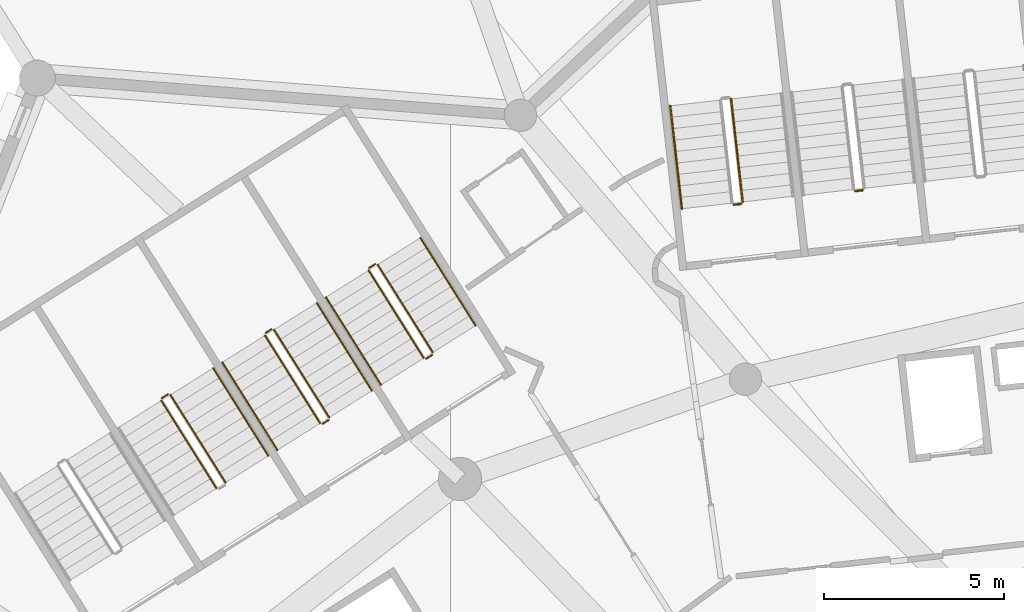
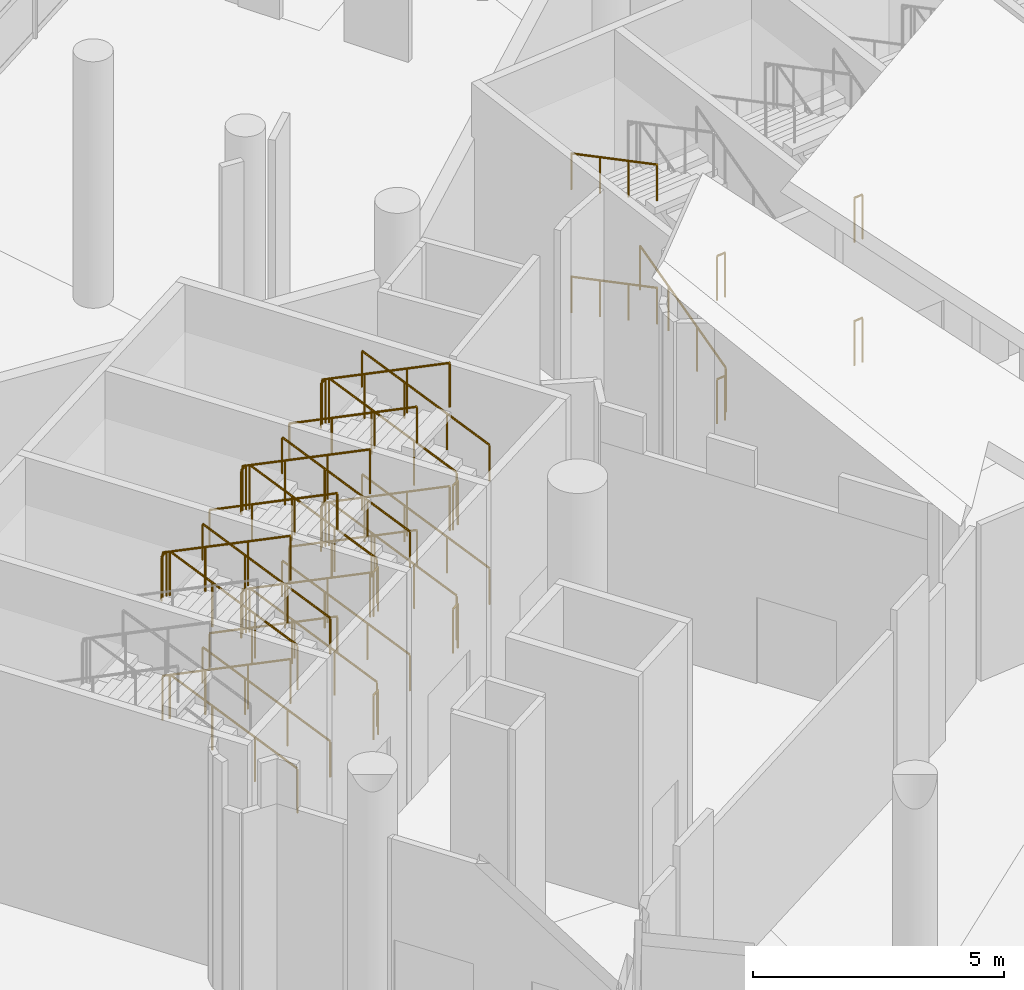
# One storey, part 235 of 249: 38 railings.
"""IFC4 building model written with IfcOpenShell, lengths in metres."""

from ifc_helpers import new_model, si_unit, direction, frame, origin, origin_2d, place, context, subcontext, project, spatial, circle, extrude, material, type_object, element, save


model = new_model("IFC4")

# Units and contexts
model_context = context("Model", 3, precision=1e-05, world=origin(), true_north=direction((0.0, 1.0)))
body_context = subcontext(model_context, "Body", "Model", "MODEL_VIEW")
ifc_project = project(units=[si_unit("LENGTHUNIT", "METRE"), si_unit("AREAUNIT", "SQUARE_METRE"), si_unit("VOLUMEUNIT", "CUBIC_METRE"), si_unit("PLANEANGLEUNIT", "RADIAN"), si_unit("MASSUNIT", "GRAM", prefix="KILO")], contexts=[model_context])

# Site, building, storey
site_placement = place(None, origin())
site = spatial("IfcSite", under=ifc_project, at=site_placement, CompositionType="ELEMENT")
building_placement = place(site_placement, origin())
building = spatial("IfcBuilding", under=site, at=building_placement, Name="Meseta Stadium", CompositionType="ELEMENT")
storey_placement = place(building_placement, frame((0.0, 0.0, 12.0)))
storey = spatial("IfcBuildingStorey", under=building, at=storey_placement, Name="L02", CompositionType="ELEMENT", Elevation=12.0)

# Railings
ifc_material_1 = material(Name="Steel S355", Category="steel")
railing_type_1 = type_object("IfcRailingType", Name="Stair guard 1100", PredefinedType="GUARDRAIL", material=ifc_material_1)
for number, where, name in (
    (1, (-52.54443359375, 93.792724609375, 3.0), "ST47 L02 guard 4"),
    (2, (-52.54443359375, 93.792724609375, 0.0), "ST47 L02 guard 8"),
):
    element("IfcRailing", number, at=place(storey_placement, frame(where)), inside=storey, type_object=railing_type_1, Name=name, PredefinedType="GUARDRAIL", context=body_context, shape_type="SweptSolid", body=[
        extrude(circle(Radius=0.02392578125, at=origin_2d()), frame((0.0, 0.0, 1.076171875), z_axis=(-0.993673547442, -0.112307083986, 0.0), x_axis=(0.112307083986, -0.993673547442, 0.0)), (0.0, 0.0, 1.0), 0.199951171875),
        extrude(circle(Radius=0.02099609375, at=origin_2d()), origin(), (0.0, 0.0, 1.0), 1.052001953125),
        extrude(circle(Radius=0.02099609375, at=origin_2d()), frame((-0.19873046875, -0.0224609375, 0.0)), (0.0, 0.0, 1.0), 1.052001953125),
    ])
railing_1_placement = place(storey_placement, frame((-55.87890625, 93.46728515625, 0.14990234375)))
element("IfcRailing", 3, at=railing_1_placement, inside=storey, type_object=railing_type_1, Name="ST48 L02 guard 1", PredefinedType="GUARDRAIL", context=body_context, shape_type="SweptSolid", body=[
    extrude(circle(Radius=0.02392578125, at=origin_2d()), frame((0.0, 0.0, 1.076171875), z_axis=(-0.10139626197, 0.899747905232, 0.424467319223), x_axis=(-0.993709872468, -0.111985219376, 0.0)), (0.0, 0.0, 1.0), 3.1806640625),
    extrude(circle(Radius=0.02099609375, at=origin_2d()), origin(), (0.0, 0.0, 1.0), 1.052001953125),
    extrude(circle(Radius=0.02099609375, at=origin_2d()), frame((-0.107421875, 0.953857421875, 0.449951171875)), (0.0, 0.0, 1.0), 1.052001953125),
    extrude(circle(Radius=0.02099609375, at=origin_2d()), frame((-0.215087890625, 1.907958984375, 0.900146484375)), (0.0, 0.0, 1.0), 1.052001953125),
    extrude(circle(Radius=0.02099609375, at=origin_2d()), frame((-0.322509765625, 2.86181640625, 1.35009765625)), (0.0, 0.0, 1.0), 1.052001953125),
])
for number, where, name in (
    (4, (-55.923095703125, 93.411865234375, 3.0), "ST48 L02 guard 4"),
    (5, (-55.923095703125, 93.411865234375, 0.0), "ST48 L02 guard 8"),
):
    element("IfcRailing", number, at=place(storey_placement, frame(where)), inside=storey, type_object=railing_type_1, Name=name, PredefinedType="GUARDRAIL", context=body_context, shape_type="SweptSolid", body=[
        extrude(circle(Radius=0.02392578125, at=origin_2d()), frame((0.0, 0.0, 1.076171875), z_axis=(-0.993809063983, -0.111101504696, 0.0), x_axis=(0.111101504696, -0.993809063983, 0.0)), (0.0, 0.0, 1.0), 0.199951171875),
        extrude(circle(Radius=0.02099609375, at=origin_2d()), origin(), (0.0, 0.0, 1.0), 1.052001953125),
        extrude(circle(Radius=0.02099609375, at=origin_2d()), frame((-0.19873046875, -0.022216796875, 0.0)), (0.0, 0.0, 1.0), 1.052001953125),
    ])
railing_2_placement = place(storey_placement, frame((-64.4853515625, 89.286865234375, 0.14990234375)))
element("IfcRailing", 6, at=railing_2_placement, inside=storey, type_object=railing_type_1, Name="ST49 L02 guard 1", PredefinedType="GUARDRAIL", context=body_context, shape_type="SweptSolid", body=[
    extrude(circle(Radius=0.02392578125, at=origin_2d()), frame((0.0, 0.0, 1.076171875), z_axis=(-0.481702688975, 0.766687087345, 0.424444848635), x_axis=(-0.84674347122, -0.532001404082, 0.0)), (0.0, 0.0, 1.0), 3.180908203125),
    extrude(circle(Radius=0.02099609375, at=origin_2d()), origin(), (0.0, 0.0, 1.0), 1.052001953125),
    extrude(circle(Radius=0.02099609375, at=origin_2d()), frame((-0.5107421875, 0.81298828125, 0.449951171875)), (0.0, 0.0, 1.0), 1.052001953125),
    extrude(circle(Radius=0.02099609375, at=origin_2d()), frame((-1.021484375, 1.625732421875, 0.900146484375)), (0.0, 0.0, 1.0), 1.052001953125),
    extrude(circle(Radius=0.02099609375, at=origin_2d()), frame((-1.5322265625, 2.438720703125, 1.35009765625)), (0.0, 0.0, 1.0), 1.052001953125),
])
railing_3_placement = place(storey_placement, frame((-66.08642578125, 91.7412109375, 1.5)))
element("IfcRailing", 7, at=railing_3_placement, inside=storey, type_object=railing_type_1, Name="ST49 L02 guard 2", PredefinedType="GUARDRAIL", context=body_context, shape_type="SweptSolid", body=[
    extrude(circle(Radius=0.02392578125, at=origin_2d()), frame((0.0, 0.0, 1.076171875), z_axis=(-0.846762178531, -0.531971628011, 0.0), x_axis=(0.531971628011, -0.846762178531, 0.0)), (0.0, 0.0, 1.0), 0.2001953125),
    extrude(circle(Radius=0.02099609375, at=origin_2d()), origin(), (0.0, 0.0, 1.0), 1.052001953125),
    extrude(circle(Radius=0.02099609375, at=origin_2d()), frame((-0.16943359375, -0.1064453125, 0.0)), (0.0, 0.0, 1.0), 1.052001953125),
])
railing_4_placement = place(storey_placement, frame((-66.271484375, 91.56591796875, 1.64990234375)))
element("IfcRailing", 8, at=railing_4_placement, inside=storey, type_object=railing_type_1, Name="ST49 L02 guard 3", PredefinedType="GUARDRAIL", context=body_context, shape_type="SweptSolid", body=[
    extrude(circle(Radius=0.02392578125, at=origin_2d()), frame((0.0, 0.0, 1.076171875), z_axis=(0.481731036161, -0.766655447606, 0.424469826318), x_axis=(0.846719477248, 0.53203959143, 0.0)), (0.0, 0.0, 1.0), 3.1806640625),
    extrude(circle(Radius=0.02099609375, at=origin_2d()), origin(), (0.0, 0.0, 1.0), 1.052001953125),
    extrude(circle(Radius=0.02099609375, at=origin_2d()), frame((0.5107421875, -0.812744140625, 0.449951171875)), (0.0, 0.0, 1.0), 1.052001953125),
    extrude(circle(Radius=0.02099609375, at=origin_2d()), frame((1.021484375, -1.625732421875, 0.900146484375)), (0.0, 0.0, 1.0), 1.052001953125),
    extrude(circle(Radius=0.02099609375, at=origin_2d()), frame((1.5322265625, -2.4384765625, 1.35009765625)), (0.0, 0.0, 1.0), 1.052001953125),
])
railing_5_placement = place(storey_placement, frame((-64.5009765625, 89.218017578125, 3.0)))
element("IfcRailing", 9, at=railing_5_placement, inside=storey, type_object=railing_type_1, Name="ST49 L02 guard 4", PredefinedType="GUARDRAIL", context=body_context, shape_type="SweptSolid", body=[
    extrude(circle(Radius=0.02392578125, at=origin_2d()), frame((0.0, 0.0, 1.076171875), z_axis=(-0.846762178531, -0.531971628011, 0.0), x_axis=(0.531971628011, -0.846762178531, 0.0)), (0.0, 0.0, 1.0), 0.2001953125),
    extrude(circle(Radius=0.02099609375, at=origin_2d()), origin(), (0.0, 0.0, 1.0), 1.052001953125),
    extrude(circle(Radius=0.02099609375, at=origin_2d()), frame((-0.16943359375, -0.1064453125, 0.0)), (0.0, 0.0, 1.0), 1.052001953125),
])
railing_6_placement = place(storey_placement, frame((-64.4853515625, 89.286865234375, 3.14990234375)))
element("IfcRailing", 10, at=railing_6_placement, inside=storey, type_object=railing_type_1, Name="ST49 L02 guard 5", PredefinedType="GUARDRAIL", context=body_context, shape_type="SweptSolid", body=[
    extrude(circle(Radius=0.02392578125, at=origin_2d()), frame((0.0, 0.0, 1.076171875), z_axis=(-0.481702688975, 0.766687087345, 0.424444848635), x_axis=(-0.84674347122, -0.532001404082, 0.0)), (0.0, 0.0, 1.0), 3.180908203125),
    extrude(circle(Radius=0.02099609375, at=origin_2d()), origin(), (0.0, 0.0, 1.0), 1.052001953125),
    extrude(circle(Radius=0.02099609375, at=origin_2d()), frame((-0.5107421875, 0.81298828125, 0.449951171875)), (0.0, 0.0, 1.0), 1.052001953125),
    extrude(circle(Radius=0.02099609375, at=origin_2d()), frame((-1.021484375, 1.625732421875, 0.900146484375)), (0.0, 0.0, 1.0), 1.052001953125),
    extrude(circle(Radius=0.02099609375, at=origin_2d()), frame((-1.5322265625, 2.438720703125, 1.35009765625)), (0.0, 0.0, 1.0), 1.052001953125),
])
railing_7_placement = place(storey_placement, frame((-66.08642578125, 91.7412109375, 4.5)))
element("IfcRailing", 11, at=railing_7_placement, inside=storey, type_object=railing_type_1, Name="ST49 L02 guard 6", PredefinedType="GUARDRAIL", context=body_context, shape_type="SweptSolid", body=[
    extrude(circle(Radius=0.02392578125, at=origin_2d()), frame((0.0, 0.0, 1.076171875), z_axis=(-0.846762178531, -0.531971628011, 0.0), x_axis=(0.531971628011, -0.846762178531, 0.0)), (0.0, 0.0, 1.0), 0.2001953125),
    extrude(circle(Radius=0.02099609375, at=origin_2d()), origin(), (0.0, 0.0, 1.0), 1.052001953125),
    extrude(circle(Radius=0.02099609375, at=origin_2d()), frame((-0.16943359375, -0.1064453125, 0.0)), (0.0, 0.0, 1.0), 1.052001953125),
])
railing_8_placement = place(storey_placement, frame((-66.271484375, 91.56591796875, 4.64990234375)))
element("IfcRailing", 12, at=railing_8_placement, inside=storey, type_object=railing_type_1, Name="ST49 L02 guard 7", PredefinedType="GUARDRAIL", context=body_context, shape_type="SweptSolid", body=[
    extrude(circle(Radius=0.02392578125, at=origin_2d()), frame((0.0, 0.0, 1.076171875), z_axis=(0.481731036161, -0.766655447606, 0.424469826318), x_axis=(0.846719477248, 0.53203959143, 0.0)), (0.0, 0.0, 1.0), 3.1806640625),
    extrude(circle(Radius=0.02099609375, at=origin_2d()), origin(), (0.0, 0.0, 1.0), 1.052001953125),
    extrude(circle(Radius=0.02099609375, at=origin_2d()), frame((0.5107421875, -0.812744140625, 0.449951171875)), (0.0, 0.0, 1.0), 1.052001953125),
    extrude(circle(Radius=0.02099609375, at=origin_2d()), frame((1.021484375, -1.625732421875, 0.900146484375)), (0.0, 0.0, 1.0), 1.052001953125),
    extrude(circle(Radius=0.02099609375, at=origin_2d()), frame((1.5322265625, -2.4384765625, 1.35009765625)), (0.0, 0.0, 1.0), 1.052001953125),
])
railing_9_placement = place(storey_placement, frame((-64.5009765625, 89.218017578125, 0.0)))
element("IfcRailing", 13, at=railing_9_placement, inside=storey, type_object=railing_type_1, Name="ST49 L02 guard 8", PredefinedType="GUARDRAIL", context=body_context, shape_type="SweptSolid", body=[
    extrude(circle(Radius=0.02392578125, at=origin_2d()), frame((0.0, 0.0, 1.076171875), z_axis=(-0.846762178531, -0.531971628011, 0.0), x_axis=(0.531971628011, -0.846762178531, 0.0)), (0.0, 0.0, 1.0), 0.2001953125),
    extrude(circle(Radius=0.02099609375, at=origin_2d()), origin(), (0.0, 0.0, 1.0), 1.052001953125),
    extrude(circle(Radius=0.02099609375, at=origin_2d()), frame((-0.16943359375, -0.1064453125, 0.0)), (0.0, 0.0, 1.0), 1.052001953125),
])
railing_10_placement = place(storey_placement, frame((-67.3642578125, 87.47802734375, 0.14990234375)))
element("IfcRailing", 14, at=railing_10_placement, inside=storey, type_object=railing_type_1, Name="ST50 L02 guard 1", PredefinedType="GUARDRAIL", context=body_context, shape_type="SweptSolid", body=[
    extrude(circle(Radius=0.02392578125, at=origin_2d()), frame((0.0, 0.0, 1.076171875), z_axis=(-0.481702688975, 0.766687087345, 0.424444848635), x_axis=(-0.84674347122, -0.532001404082, 0.0)), (0.0, 0.0, 1.0), 3.180908203125),
    extrude(circle(Radius=0.02099609375, at=origin_2d()), origin(), (0.0, 0.0, 1.0), 1.052001953125),
    extrude(circle(Radius=0.02099609375, at=origin_2d()), frame((-0.5107421875, 0.81298828125, 0.449951171875)), (0.0, 0.0, 1.0), 1.052001953125),
    extrude(circle(Radius=0.02099609375, at=origin_2d()), frame((-1.021484375, 1.625732421875, 0.900146484375)), (0.0, 0.0, 1.0), 1.052001953125),
    extrude(circle(Radius=0.02099609375, at=origin_2d()), frame((-1.5322265625, 2.438720703125, 1.35009765625)), (0.0, 0.0, 1.0), 1.052001953125),
])
railing_11_placement = place(storey_placement, frame((-68.96533203125, 89.932373046875, 1.5)))
element("IfcRailing", 15, at=railing_11_placement, inside=storey, type_object=railing_type_1, Name="ST50 L02 guard 2", PredefinedType="GUARDRAIL", context=body_context, shape_type="SweptSolid", body=[
    extrude(circle(Radius=0.02392578125, at=origin_2d()), frame((0.0, 0.0, 1.076171875), z_axis=(-0.846762178531, -0.531971628011, 0.0), x_axis=(0.531971628011, -0.846762178531, 0.0)), (0.0, 0.0, 1.0), 0.2001953125),
    extrude(circle(Radius=0.02099609375, at=origin_2d()), origin(), (0.0, 0.0, 1.0), 1.052001953125),
    extrude(circle(Radius=0.02099609375, at=origin_2d()), frame((-0.16943359375, -0.1064453125, 0.0)), (0.0, 0.0, 1.0), 1.052001953125),
])
railing_12_placement = place(storey_placement, frame((-69.150390625, 89.757080078125, 1.64990234375)))
element("IfcRailing", 16, at=railing_12_placement, inside=storey, type_object=railing_type_1, Name="ST50 L02 guard 3", PredefinedType="GUARDRAIL", context=body_context, shape_type="SweptSolid", body=[
    extrude(circle(Radius=0.02392578125, at=origin_2d()), frame((0.0, 0.0, 1.076171875), z_axis=(0.481702688975, -0.766687087345, 0.424444848635), x_axis=(0.84674347122, 0.532001404082, 0.0)), (0.0, 0.0, 1.0), 3.180908203125),
    extrude(circle(Radius=0.02099609375, at=origin_2d()), origin(), (0.0, 0.0, 1.0), 1.052001953125),
    extrude(circle(Radius=0.02099609375, at=origin_2d()), frame((0.5107421875, -0.81298828125, 0.449951171875)), (0.0, 0.0, 1.0), 1.052001953125),
    extrude(circle(Radius=0.02099609375, at=origin_2d()), frame((1.021484375, -1.625732421875, 0.900146484375)), (0.0, 0.0, 1.0), 1.052001953125),
    extrude(circle(Radius=0.02099609375, at=origin_2d()), frame((1.5322265625, -2.438720703125, 1.35009765625)), (0.0, 0.0, 1.0), 1.052001953125),
])
railing_13_placement = place(storey_placement, frame((-67.3798828125, 87.4091796875, 3.0)))
element("IfcRailing", 17, at=railing_13_placement, inside=storey, type_object=railing_type_1, Name="ST50 L02 guard 4", PredefinedType="GUARDRAIL", context=body_context, shape_type="SweptSolid", body=[
    extrude(circle(Radius=0.02392578125, at=origin_2d()), frame((0.0, 0.0, 1.076171875), z_axis=(-0.846762178531, -0.531971628011, 0.0), x_axis=(0.531971628011, -0.846762178531, 0.0)), (0.0, 0.0, 1.0), 0.2001953125),
    extrude(circle(Radius=0.02099609375, at=origin_2d()), origin(), (0.0, 0.0, 1.0), 1.052001953125),
    extrude(circle(Radius=0.02099609375, at=origin_2d()), frame((-0.16943359375, -0.1064453125, 0.0)), (0.0, 0.0, 1.0), 1.052001953125),
])
railing_14_placement = place(storey_placement, frame((-67.3642578125, 87.47802734375, 3.14990234375)))
element("IfcRailing", 18, at=railing_14_placement, inside=storey, type_object=railing_type_1, Name="ST50 L02 guard 5", PredefinedType="GUARDRAIL", context=body_context, shape_type="SweptSolid", body=[
    extrude(circle(Radius=0.02392578125, at=origin_2d()), frame((0.0, 0.0, 1.076171875), z_axis=(-0.481702688975, 0.766687087345, 0.424444848635), x_axis=(-0.84674347122, -0.532001404082, 0.0)), (0.0, 0.0, 1.0), 3.180908203125),
    extrude(circle(Radius=0.02099609375, at=origin_2d()), origin(), (0.0, 0.0, 1.0), 1.052001953125),
    extrude(circle(Radius=0.02099609375, at=origin_2d()), frame((-0.5107421875, 0.81298828125, 0.449951171875)), (0.0, 0.0, 1.0), 1.052001953125),
    extrude(circle(Radius=0.02099609375, at=origin_2d()), frame((-1.021484375, 1.625732421875, 0.900146484375)), (0.0, 0.0, 1.0), 1.052001953125),
    extrude(circle(Radius=0.02099609375, at=origin_2d()), frame((-1.5322265625, 2.438720703125, 1.35009765625)), (0.0, 0.0, 1.0), 1.052001953125),
])
railing_15_placement = place(storey_placement, frame((-68.96533203125, 89.932373046875, 4.5)))
element("IfcRailing", 19, at=railing_15_placement, inside=storey, type_object=railing_type_1, Name="ST50 L02 guard 6", PredefinedType="GUARDRAIL", context=body_context, shape_type="SweptSolid", body=[
    extrude(circle(Radius=0.02392578125, at=origin_2d()), frame((0.0, 0.0, 1.076171875), z_axis=(-0.846762178531, -0.531971628011, 0.0), x_axis=(0.531971628011, -0.846762178531, 0.0)), (0.0, 0.0, 1.0), 0.2001953125),
    extrude(circle(Radius=0.02099609375, at=origin_2d()), origin(), (0.0, 0.0, 1.0), 1.052001953125),
    extrude(circle(Radius=0.02099609375, at=origin_2d()), frame((-0.16943359375, -0.1064453125, 0.0)), (0.0, 0.0, 1.0), 1.052001953125),
])
railing_16_placement = place(storey_placement, frame((-69.150390625, 89.757080078125, 4.64990234375)))
element("IfcRailing", 20, at=railing_16_placement, inside=storey, type_object=railing_type_1, Name="ST50 L02 guard 7", PredefinedType="GUARDRAIL", context=body_context, shape_type="SweptSolid", body=[
    extrude(circle(Radius=0.02392578125, at=origin_2d()), frame((0.0, 0.0, 1.076171875), z_axis=(0.481702688975, -0.766687087345, 0.424444848635), x_axis=(0.84674347122, 0.532001404082, 0.0)), (0.0, 0.0, 1.0), 3.180908203125),
    extrude(circle(Radius=0.02099609375, at=origin_2d()), origin(), (0.0, 0.0, 1.0), 1.052001953125),
    extrude(circle(Radius=0.02099609375, at=origin_2d()), frame((0.5107421875, -0.81298828125, 0.449951171875)), (0.0, 0.0, 1.0), 1.052001953125),
    extrude(circle(Radius=0.02099609375, at=origin_2d()), frame((1.021484375, -1.625732421875, 0.900146484375)), (0.0, 0.0, 1.0), 1.052001953125),
    extrude(circle(Radius=0.02099609375, at=origin_2d()), frame((1.5322265625, -2.438720703125, 1.35009765625)), (0.0, 0.0, 1.0), 1.052001953125),
])
railing_17_placement = place(storey_placement, frame((-67.3798828125, 87.4091796875, 0.0)))
element("IfcRailing", 21, at=railing_17_placement, inside=storey, type_object=railing_type_1, Name="ST50 L02 guard 8", PredefinedType="GUARDRAIL", context=body_context, shape_type="SweptSolid", body=[
    extrude(circle(Radius=0.02392578125, at=origin_2d()), frame((0.0, 0.0, 1.076171875), z_axis=(-0.846762178531, -0.531971628011, 0.0), x_axis=(0.531971628011, -0.846762178531, 0.0)), (0.0, 0.0, 1.0), 0.2001953125),
    extrude(circle(Radius=0.02099609375, at=origin_2d()), origin(), (0.0, 0.0, 1.0), 1.052001953125),
    extrude(circle(Radius=0.02099609375, at=origin_2d()), frame((-0.16943359375, -0.1064453125, 0.0)), (0.0, 0.0, 1.0), 1.052001953125),
])
railing_18_placement = place(storey_placement, frame((-70.242919921875, 85.669189453125, 0.14990234375)))
element("IfcRailing", 22, at=railing_18_placement, inside=storey, type_object=railing_type_1, Name="ST51 L02 guard 1", PredefinedType="GUARDRAIL", context=body_context, shape_type="SweptSolid", body=[
    extrude(circle(Radius=0.02392578125, at=origin_2d()), frame((0.0, 0.0, 1.076171875), z_axis=(-0.481731036161, 0.766655447606, 0.424469826318), x_axis=(-0.846719477248, -0.53203959143, 0.0)), (0.0, 0.0, 1.0), 3.1806640625),
    extrude(circle(Radius=0.02099609375, at=origin_2d()), origin(), (0.0, 0.0, 1.0), 1.052001953125),
    extrude(circle(Radius=0.02099609375, at=origin_2d()), frame((-0.5107421875, 0.812744140625, 0.449951171875)), (0.0, 0.0, 1.0), 1.052001953125),
    extrude(circle(Radius=0.02099609375, at=origin_2d()), frame((-1.021484375, 1.625732421875, 0.900146484375)), (0.0, 0.0, 1.0), 1.052001953125),
    extrude(circle(Radius=0.02099609375, at=origin_2d()), frame((-1.5322265625, 2.4384765625, 1.35009765625)), (0.0, 0.0, 1.0), 1.052001953125),
])
railing_19_placement = place(storey_placement, frame((-72.029296875, 87.947998046875, 1.64990234375)))
element("IfcRailing", 23, at=railing_19_placement, inside=storey, type_object=railing_type_1, Name="ST51 L02 guard 3", PredefinedType="GUARDRAIL", context=body_context, shape_type="SweptSolid", body=[
    extrude(circle(Radius=0.02392578125, at=origin_2d()), frame((0.0, 0.0, 1.076171875), z_axis=(0.481731036161, -0.766655447606, 0.424469826318), x_axis=(0.846719477248, 0.53203959143, 0.0)), (0.0, 0.0, 1.0), 3.1806640625),
    extrude(circle(Radius=0.02099609375, at=origin_2d()), origin(), (0.0, 0.0, 1.0), 1.052001953125),
    extrude(circle(Radius=0.02099609375, at=origin_2d()), frame((0.5107421875, -0.812744140625, 0.449951171875)), (0.0, 0.0, 1.0), 1.052001953125),
    extrude(circle(Radius=0.02099609375, at=origin_2d()), frame((1.021484375, -1.625732421875, 0.900146484375)), (0.0, 0.0, 1.0), 1.052001953125),
    extrude(circle(Radius=0.02099609375, at=origin_2d()), frame((1.5322265625, -2.4384765625, 1.35009765625)), (0.0, 0.0, 1.0), 1.052001953125),
])
railing_20_placement = place(storey_placement, frame((-70.242919921875, 85.669189453125, 3.14990234375)))
element("IfcRailing", 24, at=railing_20_placement, inside=storey, type_object=railing_type_1, Name="ST51 L02 guard 5", PredefinedType="GUARDRAIL", context=body_context, shape_type="SweptSolid", body=[
    extrude(circle(Radius=0.02392578125, at=origin_2d()), frame((0.0, 0.0, 1.076171875), z_axis=(-0.481731036161, 0.766655447606, 0.424469826318), x_axis=(-0.846719477248, -0.53203959143, 0.0)), (0.0, 0.0, 1.0), 3.1806640625),
    extrude(circle(Radius=0.02099609375, at=origin_2d()), origin(), (0.0, 0.0, 1.0), 1.052001953125),
    extrude(circle(Radius=0.02099609375, at=origin_2d()), frame((-0.5107421875, 0.812744140625, 0.449951171875)), (0.0, 0.0, 1.0), 1.052001953125),
    extrude(circle(Radius=0.02099609375, at=origin_2d()), frame((-1.021484375, 1.625732421875, 0.900146484375)), (0.0, 0.0, 1.0), 1.052001953125),
    extrude(circle(Radius=0.02099609375, at=origin_2d()), frame((-1.5322265625, 2.4384765625, 1.35009765625)), (0.0, 0.0, 1.0), 1.052001953125),
])
railing_21_placement = place(storey_placement, frame((-71.84423828125, 88.12353515625, 4.5)))
element("IfcRailing", 25, at=railing_21_placement, inside=storey, type_object=railing_type_1, Name="ST51 L02 guard 6", PredefinedType="GUARDRAIL", context=body_context, shape_type="SweptSolid", body=[
    extrude(circle(Radius=0.02392578125, at=origin_2d()), frame((0.0, 0.0, 1.076171875), z_axis=(-0.846416356806, -0.532521690573, 0.0), x_axis=(0.532521690573, -0.846416356806, 0.0)), (0.0, 0.0, 1.0), 0.199951171875),
    extrude(circle(Radius=0.02099609375, at=origin_2d()), origin(), (0.0, 0.0, 1.0), 1.052001953125),
    extrude(circle(Radius=0.02099609375, at=origin_2d()), frame((-0.169189453125, -0.1064453125, 0.0)), (0.0, 0.0, 1.0), 1.052001953125),
])
railing_22_placement = place(storey_placement, frame((-72.029296875, 87.947998046875, 4.64990234375)))
element("IfcRailing", 26, at=railing_22_placement, inside=storey, type_object=railing_type_1, Name="ST51 L02 guard 7", PredefinedType="GUARDRAIL", context=body_context, shape_type="SweptSolid", body=[
    extrude(circle(Radius=0.02392578125, at=origin_2d()), frame((0.0, 0.0, 1.076171875), z_axis=(0.481731036161, -0.766655447606, 0.424469826318), x_axis=(0.846719477248, 0.53203959143, 0.0)), (0.0, 0.0, 1.0), 3.1806640625),
    extrude(circle(Radius=0.02099609375, at=origin_2d()), origin(), (0.0, 0.0, 1.0), 1.052001953125),
    extrude(circle(Radius=0.02099609375, at=origin_2d()), frame((0.5107421875, -0.812744140625, 0.449951171875)), (0.0, 0.0, 1.0), 1.052001953125),
    extrude(circle(Radius=0.02099609375, at=origin_2d()), frame((1.021484375, -1.625732421875, 0.900146484375)), (0.0, 0.0, 1.0), 1.052001953125),
    extrude(circle(Radius=0.02099609375, at=origin_2d()), frame((1.5322265625, -2.4384765625, 1.35009765625)), (0.0, 0.0, 1.0), 1.052001953125),
])
ifc_material_2 = material(Name="Steel S355", Category="steel")
railing_type_2 = type_object("IfcRailingType", Name="Stair handrail 900", PredefinedType="HANDRAIL", material=ifc_material_2)
for number, where, name in (
    (27, (-57.890625, 96.138671875, 1.64990234375), "ST48 L02 handrail 2"),
    (28, (-57.890625, 96.138671875, 4.64990234375), "ST48 L02 handrail 4"),
):
    element("IfcRailing", number, at=place(storey_placement, frame(where)), inside=storey, type_object=railing_type_2, Name=name, PredefinedType="HANDRAIL", context=body_context, shape_type="SweptSolid", body=[
        extrude(circle(Radius=0.02392578125, at=origin_2d()), frame((0.0, 0.0, 0.8759765625), z_axis=(0.10139626197, -0.899747905232, 0.424467319223), x_axis=(0.993709872468, 0.111985219376, 0.0)), (0.0, 0.0, 1.0), 3.1806640625),
        extrude(circle(Radius=0.02099609375, at=origin_2d()), origin(), (0.0, 0.0, 1.0), 0.851806640625),
        extrude(circle(Radius=0.02099609375, at=origin_2d()), frame((0.107421875, -0.953857421875, 0.449951171875)), (0.0, 0.0, 1.0), 0.851806640625),
        extrude(circle(Radius=0.02099609375, at=origin_2d()), frame((0.215087890625, -1.907958984375, 0.900146484375)), (0.0, 0.0, 1.0), 0.851806640625),
        extrude(circle(Radius=0.02099609375, at=origin_2d()), frame((0.322509765625, -2.86181640625, 1.35009765625)), (0.0, 0.0, 1.0), 0.851806640625),
    ])
railing_23_placement = place(storey_placement, frame((-63.2998046875, 90.03173828125, 0.14990234375)))
element("IfcRailing", 29, at=railing_23_placement, inside=storey, type_object=railing_type_2, Name="ST49 L02 handrail 1", PredefinedType="HANDRAIL", context=body_context, shape_type="SweptSolid", body=[
    extrude(circle(Radius=0.02392578125, at=origin_2d()), frame((0.0, 0.0, 0.8759765625), z_axis=(-0.481702688975, 0.766687087345, 0.424444848635), x_axis=(-0.84674347122, -0.532001404082, 0.0)), (0.0, 0.0, 1.0), 3.180908203125),
    extrude(circle(Radius=0.02099609375, at=origin_2d()), origin(), (0.0, 0.0, 1.0), 0.851806640625),
    extrude(circle(Radius=0.02099609375, at=origin_2d()), frame((-0.5107421875, 0.81298828125, 0.449951171875)), (0.0, 0.0, 1.0), 0.851806640625),
    extrude(circle(Radius=0.02099609375, at=origin_2d()), frame((-1.021484375, 1.625732421875, 0.900146484375)), (0.0, 0.0, 1.0), 0.851806640625),
    extrude(circle(Radius=0.02099609375, at=origin_2d()), frame((-1.5322265625, 2.438720703125, 1.35009765625)), (0.0, 0.0, 1.0), 0.851806640625),
])
railing_24_placement = place(storey_placement, frame((-67.45703125, 90.821044921875, 1.64990234375)))
element("IfcRailing", 30, at=railing_24_placement, inside=storey, type_object=railing_type_2, Name="ST49 L02 handrail 2", PredefinedType="HANDRAIL", context=body_context, shape_type="SweptSolid", body=[
    extrude(circle(Radius=0.02392578125, at=origin_2d()), frame((0.0, 0.0, 0.8759765625), z_axis=(0.481731036161, -0.766655447606, 0.424469826318), x_axis=(0.846719477248, 0.53203959143, 0.0)), (0.0, 0.0, 1.0), 3.1806640625),
    extrude(circle(Radius=0.02099609375, at=origin_2d()), origin(), (0.0, 0.0, 1.0), 0.851806640625),
    extrude(circle(Radius=0.02099609375, at=origin_2d()), frame((0.5107421875, -0.812744140625, 0.449951171875)), (0.0, 0.0, 1.0), 0.851806640625),
    extrude(circle(Radius=0.02099609375, at=origin_2d()), frame((1.021484375, -1.625732421875, 0.900146484375)), (0.0, 0.0, 1.0), 0.851806640625),
    extrude(circle(Radius=0.02099609375, at=origin_2d()), frame((1.5322265625, -2.4384765625, 1.35009765625)), (0.0, 0.0, 1.0), 0.851806640625),
])
railing_25_placement = place(storey_placement, frame((-63.2998046875, 90.03173828125, 3.14990234375)))
element("IfcRailing", 31, at=railing_25_placement, inside=storey, type_object=railing_type_2, Name="ST49 L02 handrail 3", PredefinedType="HANDRAIL", context=body_context, shape_type="SweptSolid", body=[
    extrude(circle(Radius=0.02392578125, at=origin_2d()), frame((0.0, 0.0, 0.8759765625), z_axis=(-0.481702688975, 0.766687087345, 0.424444848635), x_axis=(-0.84674347122, -0.532001404082, 0.0)), (0.0, 0.0, 1.0), 3.180908203125),
    extrude(circle(Radius=0.02099609375, at=origin_2d()), origin(), (0.0, 0.0, 1.0), 0.851806640625),
    extrude(circle(Radius=0.02099609375, at=origin_2d()), frame((-0.5107421875, 0.81298828125, 0.449951171875)), (0.0, 0.0, 1.0), 0.851806640625),
    extrude(circle(Radius=0.02099609375, at=origin_2d()), frame((-1.021484375, 1.625732421875, 0.900146484375)), (0.0, 0.0, 1.0), 0.851806640625),
    extrude(circle(Radius=0.02099609375, at=origin_2d()), frame((-1.5322265625, 2.438720703125, 1.35009765625)), (0.0, 0.0, 1.0), 0.851806640625),
])
railing_26_placement = place(storey_placement, frame((-67.45703125, 90.821044921875, 4.64990234375)))
element("IfcRailing", 32, at=railing_26_placement, inside=storey, type_object=railing_type_2, Name="ST49 L02 handrail 4", PredefinedType="HANDRAIL", context=body_context, shape_type="SweptSolid", body=[
    extrude(circle(Radius=0.02392578125, at=origin_2d()), frame((0.0, 0.0, 0.8759765625), z_axis=(0.481731036161, -0.766655447606, 0.424469826318), x_axis=(0.846719477248, 0.53203959143, 0.0)), (0.0, 0.0, 1.0), 3.1806640625),
    extrude(circle(Radius=0.02099609375, at=origin_2d()), origin(), (0.0, 0.0, 1.0), 0.851806640625),
    extrude(circle(Radius=0.02099609375, at=origin_2d()), frame((0.5107421875, -0.812744140625, 0.449951171875)), (0.0, 0.0, 1.0), 0.851806640625),
    extrude(circle(Radius=0.02099609375, at=origin_2d()), frame((1.021484375, -1.625732421875, 0.900146484375)), (0.0, 0.0, 1.0), 0.851806640625),
    extrude(circle(Radius=0.02099609375, at=origin_2d()), frame((1.5322265625, -2.4384765625, 1.35009765625)), (0.0, 0.0, 1.0), 0.851806640625),
])
railing_27_placement = place(storey_placement, frame((-66.1787109375, 88.222900390625, 0.14990234375)))
element("IfcRailing", 33, at=railing_27_placement, inside=storey, type_object=railing_type_2, Name="ST50 L02 handrail 1", PredefinedType="HANDRAIL", context=body_context, shape_type="SweptSolid", body=[
    extrude(circle(Radius=0.02392578125, at=origin_2d()), frame((0.0, 0.0, 0.8759765625), z_axis=(-0.481731036161, 0.766655447606, 0.424469826318), x_axis=(-0.846719477248, -0.53203959143, 0.0)), (0.0, 0.0, 1.0), 3.1806640625),
    extrude(circle(Radius=0.02099609375, at=origin_2d()), origin(), (0.0, 0.0, 1.0), 0.851806640625),
    extrude(circle(Radius=0.02099609375, at=origin_2d()), frame((-0.5107421875, 0.812744140625, 0.449951171875)), (0.0, 0.0, 1.0), 0.851806640625),
    extrude(circle(Radius=0.02099609375, at=origin_2d()), frame((-1.021484375, 1.625732421875, 0.900146484375)), (0.0, 0.0, 1.0), 0.851806640625),
    extrude(circle(Radius=0.02099609375, at=origin_2d()), frame((-1.5322265625, 2.4384765625, 1.35009765625)), (0.0, 0.0, 1.0), 0.851806640625),
])
railing_28_placement = place(storey_placement, frame((-70.3359375, 89.01220703125, 1.64990234375)))
element("IfcRailing", 34, at=railing_28_placement, inside=storey, type_object=railing_type_2, Name="ST50 L02 handrail 2", PredefinedType="HANDRAIL", context=body_context, shape_type="SweptSolid", body=[
    extrude(circle(Radius=0.02392578125, at=origin_2d()), frame((0.0, 0.0, 0.8759765625), z_axis=(0.481789977797, -0.766627098651, 0.424454130511), x_axis=(0.846681287241, 0.532100364439, 0.0)), (0.0, 0.0, 1.0), 3.1806640625),
    extrude(circle(Radius=0.02099609375, at=origin_2d()), origin(), (0.0, 0.0, 1.0), 0.851806640625),
    extrude(circle(Radius=0.02099609375, at=origin_2d()), frame((0.5107421875, -0.812744140625, 0.449951171875)), (0.0, 0.0, 1.0), 0.851806640625),
    extrude(circle(Radius=0.02099609375, at=origin_2d()), frame((1.021728515625, -1.625732421875, 0.900146484375)), (0.0, 0.0, 1.0), 0.851806640625),
    extrude(circle(Radius=0.02099609375, at=origin_2d()), frame((1.532470703125, -2.4384765625, 1.35009765625)), (0.0, 0.0, 1.0), 0.851806640625),
])
railing_29_placement = place(storey_placement, frame((-66.1787109375, 88.222900390625, 3.14990234375)))
element("IfcRailing", 35, at=railing_29_placement, inside=storey, type_object=railing_type_2, Name="ST50 L02 handrail 3", PredefinedType="HANDRAIL", context=body_context, shape_type="SweptSolid", body=[
    extrude(circle(Radius=0.02392578125, at=origin_2d()), frame((0.0, 0.0, 0.8759765625), z_axis=(-0.481731036161, 0.766655447606, 0.424469826318), x_axis=(-0.846719477248, -0.53203959143, 0.0)), (0.0, 0.0, 1.0), 3.1806640625),
    extrude(circle(Radius=0.02099609375, at=origin_2d()), origin(), (0.0, 0.0, 1.0), 0.851806640625),
    extrude(circle(Radius=0.02099609375, at=origin_2d()), frame((-0.5107421875, 0.812744140625, 0.449951171875)), (0.0, 0.0, 1.0), 0.851806640625),
    extrude(circle(Radius=0.02099609375, at=origin_2d()), frame((-1.021484375, 1.625732421875, 0.900146484375)), (0.0, 0.0, 1.0), 0.851806640625),
    extrude(circle(Radius=0.02099609375, at=origin_2d()), frame((-1.5322265625, 2.4384765625, 1.35009765625)), (0.0, 0.0, 1.0), 0.851806640625),
])
railing_30_placement = place(storey_placement, frame((-70.3359375, 89.01220703125, 4.64990234375)))
element("IfcRailing", 36, at=railing_30_placement, inside=storey, type_object=railing_type_2, Name="ST50 L02 handrail 4", PredefinedType="HANDRAIL", context=body_context, shape_type="SweptSolid", body=[
    extrude(circle(Radius=0.02392578125, at=origin_2d()), frame((0.0, 0.0, 0.8759765625), z_axis=(0.481789977797, -0.766627098651, 0.424454130511), x_axis=(0.846681287241, 0.532100364439, 0.0)), (0.0, 0.0, 1.0), 3.1806640625),
    extrude(circle(Radius=0.02099609375, at=origin_2d()), origin(), (0.0, 0.0, 1.0), 0.851806640625),
    extrude(circle(Radius=0.02099609375, at=origin_2d()), frame((0.5107421875, -0.812744140625, 0.449951171875)), (0.0, 0.0, 1.0), 0.851806640625),
    extrude(circle(Radius=0.02099609375, at=origin_2d()), frame((1.021728515625, -1.625732421875, 0.900146484375)), (0.0, 0.0, 1.0), 0.851806640625),
    extrude(circle(Radius=0.02099609375, at=origin_2d()), frame((1.532470703125, -2.4384765625, 1.35009765625)), (0.0, 0.0, 1.0), 0.851806640625),
])
for number, where, name in (
    (37, (-69.0576171875, 86.4140625, 0.14990234375), "ST51 L02 handrail 1"),
    (38, (-69.0576171875, 86.4140625, 3.14990234375), "ST51 L02 handrail 3"),
):
    element("IfcRailing", number, at=place(storey_placement, frame(where)), inside=storey, type_object=railing_type_2, Name=name, PredefinedType="HANDRAIL", context=body_context, shape_type="SweptSolid", body=[
        extrude(circle(Radius=0.02392578125, at=origin_2d()), frame((0.0, 0.0, 0.8759765625), z_axis=(-0.481731036161, 0.766655447606, 0.424469826318), x_axis=(-0.846719477248, -0.53203959143, 0.0)), (0.0, 0.0, 1.0), 3.1806640625),
        extrude(circle(Radius=0.02099609375, at=origin_2d()), origin(), (0.0, 0.0, 1.0), 0.851806640625),
        extrude(circle(Radius=0.02099609375, at=origin_2d()), frame((-0.5107421875, 0.812744140625, 0.449951171875)), (0.0, 0.0, 1.0), 0.851806640625),
        extrude(circle(Radius=0.02099609375, at=origin_2d()), frame((-1.021484375, 1.625732421875, 0.900146484375)), (0.0, 0.0, 1.0), 0.851806640625),
        extrude(circle(Radius=0.02099609375, at=origin_2d()), frame((-1.5322265625, 2.4384765625, 1.35009765625)), (0.0, 0.0, 1.0), 0.851806640625),
    ])

save(model, "model.ifc")
